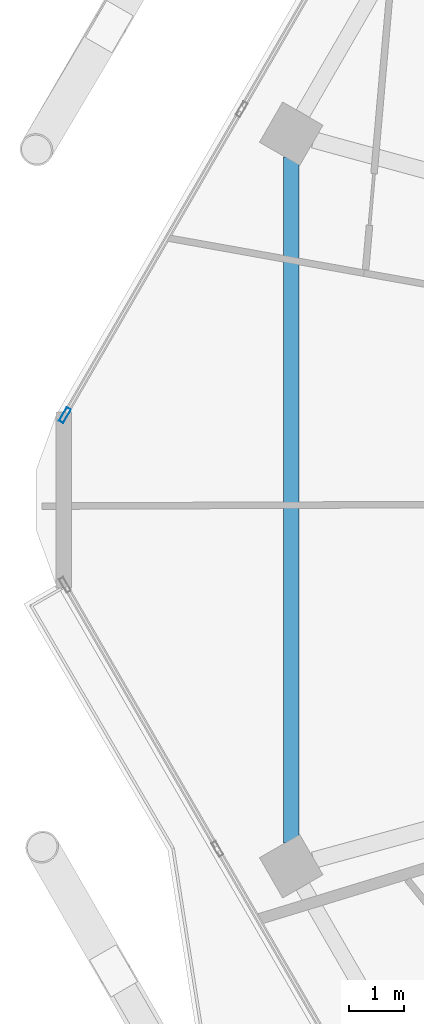
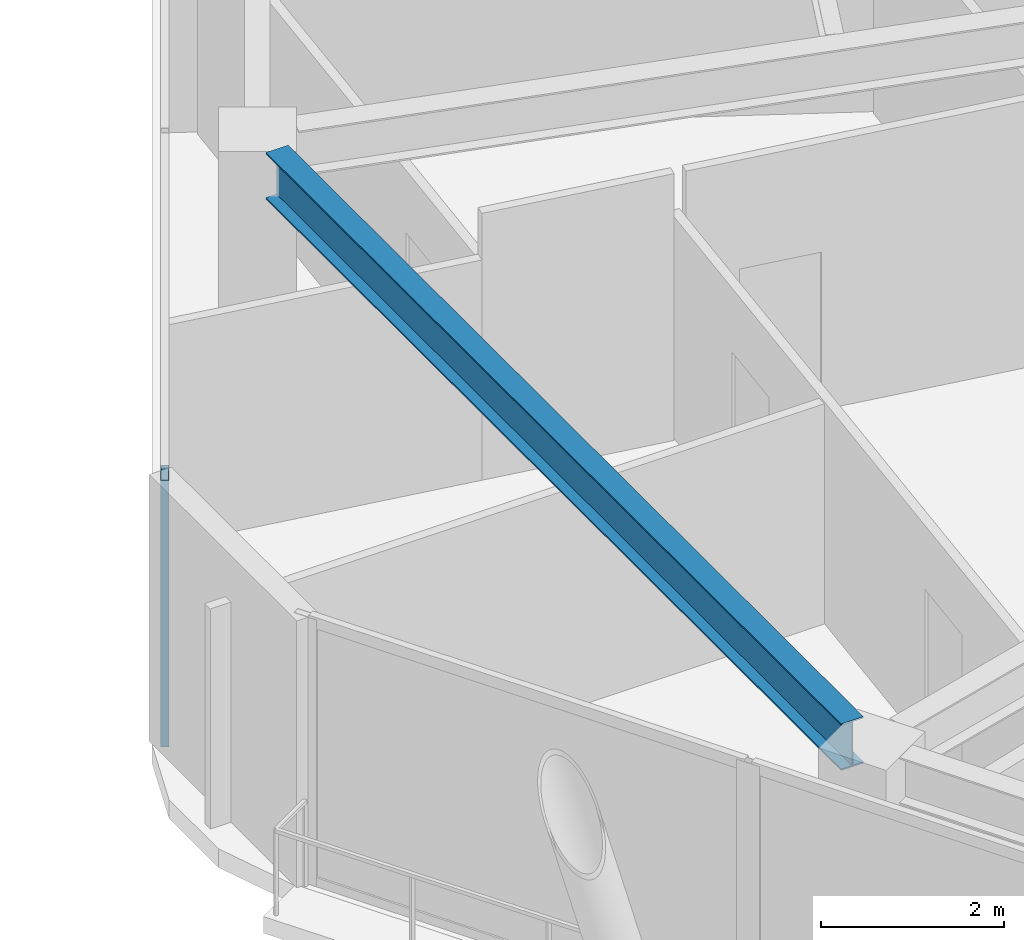
# One storey, part 6 of 28: 1 beam, 1 member, 1 element without a shape of its own.
"""IFC4 building model written with IfcOpenShell, lengths in metres."""

from ifc_helpers import new_model, si_unit, direction, frame, origin, origin_2d, place, context, subcontext, project, spatial, hollow_rectangle, i_section, extrude, material, material_profile, profile_set, type_object, element, aggregate, save


model = new_model("IFC4")

# Units and contexts
model_context = context("Model", 3, precision=1e-05, world=origin(), true_north=direction((0.0, 1.0)))
body_context = subcontext(model_context, "Body", "Model", "MODEL_VIEW")
ifc_project = project(units=[si_unit("LENGTHUNIT", "METRE"), si_unit("AREAUNIT", "SQUARE_METRE"), si_unit("VOLUMEUNIT", "CUBIC_METRE"), si_unit("PLANEANGLEUNIT", "RADIAN"), si_unit("MASSUNIT", "GRAM", prefix="KILO")], contexts=[model_context])

# Site, building, storey
site_placement = place(None, origin())
site = spatial("IfcSite", under=ifc_project, at=site_placement, CompositionType="ELEMENT")
building_placement = place(site_placement, origin())
building = spatial("IfcBuilding", under=site, at=building_placement, Name="Zuhravey Tower", CompositionType="ELEMENT")
storey_placement = place(building_placement, frame((0.0, 0.0, 284.39990234375)))
storey = spatial("IfcBuildingStorey", under=building, at=storey_placement, Name="L72", CompositionType="ELEMENT", Elevation=284.39990234375)

# Curtain wall, member
ifc_material_1 = material(Name="Thermally broken anodised aluminium", Category="aluminium")
curtain_wall_type = type_object("IfcCurtainWallType", Name="Zone 3-4 High-Rise Curtain Wall CW4", PredefinedType="NOTDEFINED", material=ifc_material_1)
curtain_wall_placement = place(storey_placement, origin())
curtain_wall = element("IfcCurtainWall", 1, at=curtain_wall_placement, inside=storey, type_object=curtain_wall_type, Name="L72 CW4 CW-L72-F3-1", PredefinedType="NOTDEFINED")
ifc_material_2 = material(Name="Anodised aluminium", Category="aluminium")
ifc_material_profile_1 = material_profile(ifc_material_2, hollow_rectangle(XDim=0.090087890625, YDim=0.284912109375, WallThickness=0.0048828125, at=origin_2d()), Name="ALU-RHS-90x285x5")
ifc_profile_set_1 = profile_set([ifc_material_profile_1], Name="Anodised aluminium")
member_type = type_object("IfcMemberType", Name="Curtain-Wall Mullion 90x180", PredefinedType="MULLION", material=ifc_profile_set_1)
member_placement = place(storey_placement, frame((7.37744140625, 33.551513671875, 0.0), z_axis=(0.0, 0.0, 1.0), x_axis=(-0.866024851021, 0.500000957414, 0.0)))
member = element("IfcMember", 2, at=member_placement, type_object=member_type, Name="CW4 mullion 1", PredefinedType="MULLION", context=body_context, shape_type="SweptSolid", body=[
    extrude(hollow_rectangle(XDim=0.090087890625, YDim=0.284912109375, WallThickness=0.0048828125, at=origin_2d()), origin(), (0.0, 0.0, 1.0), 3.550048828125),
])
aggregate(curtain_wall, [member])

# Beam
ifc_material_3 = material(Name="Steel SM355", Category="steel")
ifc_material_profile_2 = material_profile(ifc_material_3, i_section(OverallWidth=0.280029296875, OverallDepth=0.6201171875, WebThickness=0.011962890625, FlangeThickness=0.02001953125, at=origin_2d()), Name="H-620x280x12x20")
ifc_profile_set_2 = profile_set([ifc_material_profile_2], Name="Steel SM355")
beam_type = type_object("IfcBeamType", Name="Perimeter Ring Beam H620x280", PredefinedType="BEAM", material=ifc_profile_set_2)
beam_placement = place(storey_placement, frame((11.515380859375, 38.27099609375, 3.239990234375), z_axis=(0.0, -1.0, 0.0), x_axis=(1.0, 0.0, 0.0)))
element("IfcBeam", 3, at=beam_placement, inside=storey, type_object=beam_type, Name="L72 PB3 BM-L72-PB-06", PredefinedType="BEAM", context=body_context, shape_type="SweptSolid", body=[
    extrude(i_section(OverallWidth=0.280029296875, OverallDepth=0.6201171875, WebThickness=0.011962890625, FlangeThickness=0.02001953125, at=origin_2d()), origin(), (0.0, 0.0, 1.0), 12.5419921875),
])

save(model, "model.ifc")
